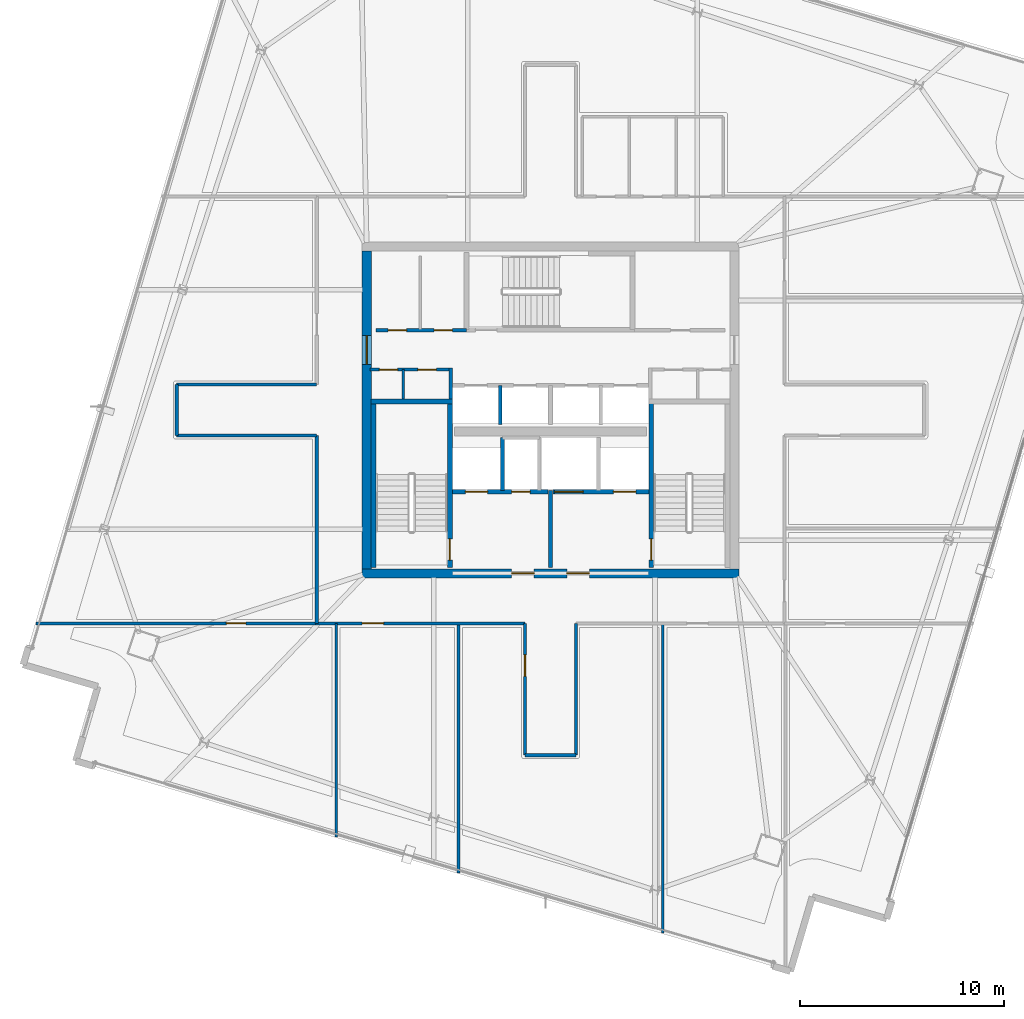
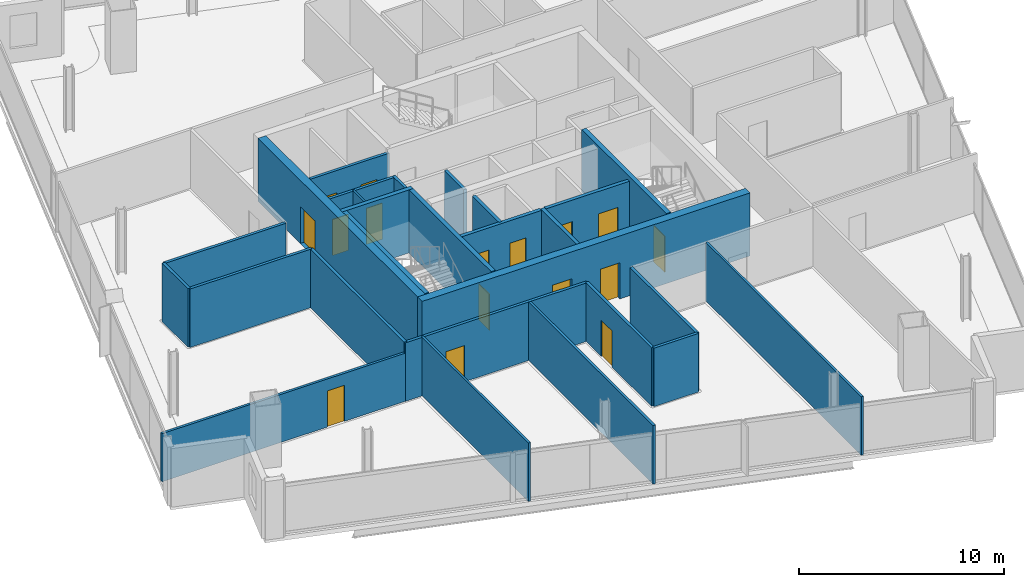
# One storey, part 20 of 26: 27 walls, 16 doors, 16 openings.
"""IFC4 building model written with IfcOpenShell, lengths in metres."""

from ifc_helpers import new_model, si_unit, direction, frame, frame_2d, origin, place, context, subcontext, project, spatial, rectangle, extrude, material, layer, layer_set, type_object, element, fill, save


model = new_model("IFC4")

# Units and contexts
model_context = context("Model", 3, precision=1e-05, world=origin(), true_north=direction((0.0, 1.0)))
body_context = subcontext(model_context, "Body", "Model", "MODEL_VIEW")
ifc_project = project(units=[si_unit("LENGTHUNIT", "METRE"), si_unit("AREAUNIT", "SQUARE_METRE"), si_unit("VOLUMEUNIT", "CUBIC_METRE"), si_unit("PLANEANGLEUNIT", "RADIAN"), si_unit("MASSUNIT", "GRAM", prefix="KILO")], contexts=[model_context])

# Site, building, storey
site_placement = place(None, origin())
site = spatial("IfcSite", under=ifc_project, at=site_placement, CompositionType="ELEMENT")
building_placement = place(site_placement, origin())
building = spatial("IfcBuilding", under=site, at=building_placement, Name="Haldenkirk Collegiate Tower", CompositionType="ELEMENT")
storey_placement = place(building_placement, frame((0.0, 0.0, 274.949951171875)))
storey = spatial("IfcBuildingStorey", under=building, at=storey_placement, Name="L69", CompositionType="ELEMENT", Elevation=274.949951171875)

# Wall, openings, doors
ifc_material_1 = material(Name="Concrete f'c 55 MPa", Category="concrete")
ifc_layer_1 = layer(ifc_material_1, 0.449951171875)
ifc_layer_set_1 = layer_set([ifc_layer_1], Name="Concrete f'c 55 MPa")
wall_type_1 = type_object("IfcWallType", Name="WL-CORE-450", PredefinedType="SHEAR", material=ifc_layer_set_1)
wall_1_placement = place(storey_placement, frame((26.77490234375, 18.0, 0.0), z_axis=(0.0, 0.0, 1.0), x_axis=(1.0, 0.0, 0.0)))
wall_1 = element("IfcWall", 1, at=wall_1_placement, inside=storey, type_object=wall_type_1, Name="L69 central core shear wall S", PredefinedType="SHEAR", context=body_context, shape_type="SweptSolid", body=[
    extrude(rectangle(XDim=18.4501953125, YDim=0.449951171875, at=frame_2d((9.22509765625, 0.0))), origin(), (0.0, 0.0, 1.0), 3.75),
])
opening_1_placement = place(wall_1_placement, frame((7.324951171875, 0.0, 0.0)))
opening_1 = element("IfcOpeningElement", 2, at=opening_1_placement, cuts=wall_1, Name="Opening D-02", PredefinedType="OPENING", context=body_context, shape_type="SweptSolid", body=[
    extrude(rectangle(XDim=1.10009765625, YDim=2.14990234375, at=frame_2d((0.550048828125, 1.074951171875))), frame((0.0, 0.23486328125, 0.0), z_axis=(0.0, -1.0, 0.0), x_axis=(1.0, 0.0, 0.0)), (0.0, 0.0, 1.0), 0.469970703125),
])
opening_2_placement = place(wall_1_placement, frame((10.02490234375, 0.0, 0.0)))
opening_2 = element("IfcOpeningElement", 3, at=opening_2_placement, cuts=wall_1, Name="Opening D-02", PredefinedType="OPENING", context=body_context, shape_type="SweptSolid", body=[
    extrude(rectangle(XDim=1.10009765625, YDim=2.14990234375, at=frame_2d((0.550048828125, 1.074951171875))), frame((0.0, 0.23486328125, 0.0), z_axis=(0.0, -1.0, 0.0), x_axis=(1.0, 0.0, 0.0)), (0.0, 0.0, 1.0), 0.469970703125),
])
ifc_material_2 = material(Name="Galvanized fire-rated hollow steel door", Category="steel")
ifc_layer_2 = layer(ifc_material_2, 0.06005859375)
ifc_layer_set_2 = layer_set([ifc_layer_2], Name="Galvanized fire-rated hollow steel door")
door_type_1 = type_object("IfcDoorType", Name="DR-STAIR-FD90-1100", OperationType="NOTDEFINED", PredefinedType="DOOR", material=ifc_layer_set_2)
door_1_placement = place(opening_1_placement, origin())
door_1 = element("IfcDoor", 4, at=door_1_placement, inside=storey, type_object=door_type_1, Name="L69 Firefighting Lobby 1 door", OperationType="SINGLE_SWING_LEFT", OverallHeight=2.14990234375, OverallWidth=1.10009765625, PredefinedType="DOOR", context=body_context, shape_type="SweptSolid", body=[
    extrude(rectangle(XDim=1.10009765625, YDim=2.14990234375, at=frame_2d((0.550048828125, 1.074951171875))), frame((0.0, 0.02490234375, 0.0), z_axis=(0.0, -1.0, 0.0), x_axis=(1.0, 0.0, 0.0)), (0.0, 0.0, 1.0), 0.050048828125),
])
fill(opening_1, door_1)
door_2_placement = place(opening_2_placement, origin())
door_2 = element("IfcDoor", 5, at=door_2_placement, inside=storey, type_object=door_type_1, Name="L69 Firefighting Lobby 2 door", OperationType="SINGLE_SWING_RIGHT", OverallHeight=2.14990234375, OverallWidth=1.10009765625, PredefinedType="DOOR", context=body_context, shape_type="SweptSolid", body=[
    extrude(rectangle(XDim=1.10009765625, YDim=2.14990234375, at=frame_2d((0.550048828125, 1.074951171875))), frame((0.0, 0.02490234375, 0.0), z_axis=(0.0, -1.0, 0.0), x_axis=(1.0, 0.0, 0.0)), (0.0, 0.0, 1.0), 0.050048828125),
])
fill(opening_2, door_2)

# Wall, opening, door
wall_2_placement = place(storey_placement, frame((27.0, 18.22509765625, 0.0), z_axis=(0.0, 0.0, 1.0), x_axis=(0.0, 1.0, 0.0)))
wall_2 = element("IfcWall", 6, at=wall_2_placement, inside=storey, type_object=wall_type_1, Name="L69 central core shear wall W", PredefinedType="SHEAR", context=body_context, shape_type="SweptSolid", body=[
    extrude(rectangle(XDim=15.5498046875, YDim=0.449951171875, at=frame_2d((7.77490234375, 0.0))), origin(), (0.0, 0.0, 1.0), 3.75),
])
opening_3_placement = place(wall_2_placement, frame((10.014892578125, 0.0, 0.0)))
opening_3 = element("IfcOpeningElement", 7, at=opening_3_placement, cuts=wall_2, Name="Opening D-03", PredefinedType="OPENING", context=body_context, shape_type="SweptSolid", body=[
    extrude(rectangle(XDim=1.39990234375, YDim=2.199951171875, at=frame_2d((0.699951171875, 1.10009765625))), frame((0.0, 0.23486328125, 0.0), z_axis=(0.0, -1.0, 0.0), x_axis=(1.0, 0.0, 0.0)), (0.0, 0.0, 1.0), 0.469970703125),
])
ifc_layer_3 = layer(ifc_material_2, 0.06005859375)
ifc_layer_set_3 = layer_set([ifc_layer_3], Name="Galvanized fire-rated hollow steel door")
door_type_2 = type_object("IfcDoorType", Name="DR-LOBBY-FD90-1400", OperationType="NOTDEFINED", PredefinedType="DOOR", material=ifc_layer_set_3)
door_3_placement = place(opening_3_placement, origin())
door_3 = element("IfcDoor", 8, at=door_3_placement, inside=storey, type_object=door_type_2, Name="L69 west lift lobby portal", OperationType="DOUBLE_DOOR_SINGLE_SWING", OverallHeight=2.199951171875, OverallWidth=1.39990234375, PredefinedType="DOOR", context=body_context, shape_type="SweptSolid", body=[
    extrude(rectangle(XDim=1.39990234375, YDim=2.199951171875, at=frame_2d((0.699951171875, 1.10009765625))), frame((0.0, 0.02490234375, 0.0), z_axis=(0.0, -1.0, 0.0), x_axis=(1.0, 0.0, 0.0)), (0.0, 0.0, 1.0), 0.050048828125),
])
fill(opening_3, door_3)

# Wall, openings, doors
ifc_material_3 = material(Name="Acoustic fire-rated gypsum partition", Category="concrete")
ifc_layer_4 = layer(ifc_material_3, 0.159912109375)
ifc_layer_set_4 = layer_set([ifc_layer_4], Name="Acoustic fire-rated gypsum partition")
wall_type_2 = type_object("IfcWallType", Name="WL-INT-CORR-160", PredefinedType="PARTITIONING", material=ifc_layer_set_4)
wall_3_placement = place(storey_placement, frame((27.14990234375, 27.97998046875, 0.0), z_axis=(0.0, 0.0, 1.0), x_axis=(1.0, 0.0, 0.0)))
wall_3 = element("IfcWall", 9, at=wall_3_placement, inside=storey, type_object=wall_type_2, Name="L69 interior partition IW-L69-VCSW-N", PredefinedType="PARTITIONING", context=body_context, shape_type="SweptSolid", body=[
    extrude(rectangle(XDim=4.050048828125, YDim=0.159912109375, at=frame_2d((2.02490234375, 0.0))), origin(), (0.0, 0.0, 1.0), 3.47998046875),
])
opening_4_placement = place(wall_3_placement, frame((0.469970703125, 0.0, 0.0)))
opening_4 = element("IfcOpeningElement", 10, at=opening_4_placement, cuts=wall_3, Name="Opening D-11", PredefinedType="OPENING", context=body_context, shape_type="SweptSolid", body=[
    extrude(rectangle(XDim=0.89990234375, YDim=2.14990234375, at=frame_2d((0.449951171875, 1.074951171875))), frame((0.0, 0.08984375, 0.0), z_axis=(0.0, -1.0, 0.0), x_axis=(1.0, 0.0, 0.0)), (0.0, 0.0, 1.0), 0.179931640625),
])
opening_5_placement = place(wall_3_placement, frame((2.360107421875, 0.0, 0.0)))
opening_5 = element("IfcOpeningElement", 11, at=opening_5_placement, cuts=wall_3, Name="Opening D-11", PredefinedType="OPENING", context=body_context, shape_type="SweptSolid", body=[
    extrude(rectangle(XDim=0.89990234375, YDim=2.14990234375, at=frame_2d((0.449951171875, 1.074951171875))), frame((0.0, 0.08984375, 0.0), z_axis=(0.0, -1.0, 0.0), x_axis=(1.0, 0.0, 0.0)), (0.0, 0.0, 1.0), 0.179931640625),
])
ifc_material_4 = material(Name="Solid-core architectural oak fire door", Category="wood")
ifc_layer_5 = layer(ifc_material_4, 0.06005859375)
ifc_layer_set_5 = layer_set([ifc_layer_5], Name="Solid-core architectural oak fire door")
door_type_3 = type_object("IfcDoorType", Name="DR-INT-FD60-900", OperationType="NOTDEFINED", PredefinedType="DOOR", material=ifc_layer_set_5)
door_4_placement = place(opening_4_placement, origin())
door_4 = element("IfcDoor", 12, at=door_4_placement, inside=storey, type_object=door_type_3, Name="L69 core AV closet door", OperationType="SINGLE_SWING_LEFT", OverallHeight=2.14990234375, OverallWidth=0.89990234375, PredefinedType="DOOR", context=body_context, shape_type="SweptSolid", body=[
    extrude(rectangle(XDim=0.89990234375, YDim=2.14990234375, at=frame_2d((0.449951171875, 1.074951171875))), frame((0.0, 0.02490234375, 0.0), z_axis=(0.0, -1.0, 0.0), x_axis=(1.0, 0.0, 0.0)), (0.0, 0.0, 1.0), 0.050048828125),
])
fill(opening_4, door_4)
door_5_placement = place(opening_5_placement, origin())
door_5 = element("IfcDoor", 13, at=door_5_placement, inside=storey, type_object=door_type_3, Name="L69 core supply closet door", OperationType="SINGLE_SWING_RIGHT", OverallHeight=2.14990234375, OverallWidth=0.89990234375, PredefinedType="DOOR", context=body_context, shape_type="SweptSolid", body=[
    extrude(rectangle(XDim=0.89990234375, YDim=2.14990234375, at=frame_2d((0.449951171875, 1.074951171875))), frame((0.0, 0.02490234375, 0.0), z_axis=(0.0, -1.0, 0.0), x_axis=(1.0, 0.0, 0.0)), (0.0, 0.0, 1.0), 0.050048828125),
])
fill(opening_5, door_5)

# Wall
wall_4_placement = place(storey_placement, frame((31.1201171875, 26.5400390625, 0.0), z_axis=(0.0, 0.0, 1.0), x_axis=(0.0, 1.0, 0.0)))
element("IfcWall", 14, at=wall_4_placement, inside=storey, type_object=wall_type_2, Name="L69 interior partition IW-L69-VCSW-E", PredefinedType="PARTITIONING", context=body_context, shape_type="SweptSolid", body=[
    extrude(rectangle(XDim=1.510009765625, YDim=0.159912109375, at=frame_2d((0.7548828125, 0.0))), origin(), (0.0, 0.0, 1.0), 3.47998046875),
])

# Wall, openings, doors
wall_5_placement = place(storey_placement, frame((27.449951171875, 29.89990234375, 0.0), z_axis=(0.0, 0.0, 1.0), x_axis=(1.0, 0.0, 0.0)))
wall_5 = element("IfcWall", 15, at=wall_5_placement, inside=storey, type_object=wall_type_2, Name="L69 interior partition IW-L69-PLS", PredefinedType="PARTITIONING", context=body_context, shape_type="SweptSolid", body=[
    extrude(rectangle(XDim=4.429931640625, YDim=0.159912109375, at=frame_2d((2.21484375, 0.0))), origin(), (0.0, 0.0, 1.0), 3.47998046875),
])
opening_6_placement = place(wall_5_placement, frame((0.60009765625, 0.0, 0.0)))
opening_6 = element("IfcOpeningElement", 16, at=opening_6_placement, cuts=wall_5, Name="Opening D-11", PredefinedType="OPENING", context=body_context, shape_type="SweptSolid", body=[
    extrude(rectangle(XDim=0.89990234375, YDim=2.14990234375, at=frame_2d((0.449951171875, 1.074951171875))), frame((0.0, 0.08984375, 0.0), z_axis=(0.0, -1.0, 0.0), x_axis=(1.0, 0.0, 0.0)), (0.0, 0.0, 1.0), 0.179931640625),
])
opening_7_placement = place(wall_5_placement, frame((2.85009765625, 0.0, 0.0)))
opening_7 = element("IfcOpeningElement", 17, at=opening_7_placement, cuts=wall_5, Name="Opening D-11", PredefinedType="OPENING", context=body_context, shape_type="SweptSolid", body=[
    extrude(rectangle(XDim=0.89990234375, YDim=2.14990234375, at=frame_2d((0.449951171875, 1.074951171875))), frame((0.0, 0.08984375, 0.0), z_axis=(0.0, -1.0, 0.0), x_axis=(1.0, 0.0, 0.0)), (0.0, 0.0, 1.0), 0.179931640625),
])
door_6_placement = place(opening_6_placement, origin())
door_6 = element("IfcDoor", 18, at=door_6_placement, inside=storey, type_object=door_type_3, Name="L69 tea kitchen door", OperationType="SINGLE_SWING_LEFT", OverallHeight=2.14990234375, OverallWidth=0.89990234375, PredefinedType="DOOR", context=body_context, shape_type="SweptSolid", body=[
    extrude(rectangle(XDim=0.89990234375, YDim=2.14990234375, at=frame_2d((0.449951171875, 1.074951171875))), frame((0.0, 0.02490234375, 0.0), z_axis=(0.0, -1.0, 0.0), x_axis=(1.0, 0.0, 0.0)), (0.0, 0.0, 1.0), 0.050048828125),
])
fill(opening_6, door_6)
door_7_placement = place(opening_7_placement, origin())
door_7 = element("IfcDoor", 19, at=door_7_placement, inside=storey, type_object=door_type_3, Name="L69 IT room door", OperationType="SINGLE_SWING_RIGHT", OverallHeight=2.14990234375, OverallWidth=0.89990234375, PredefinedType="DOOR", context=body_context, shape_type="SweptSolid", body=[
    extrude(rectangle(XDim=0.89990234375, YDim=2.14990234375, at=frame_2d((0.449951171875, 1.074951171875))), frame((0.0, 0.02490234375, 0.0), z_axis=(0.0, -1.0, 0.0), x_axis=(1.0, 0.0, 0.0)), (0.0, 0.0, 1.0), 0.050048828125),
])
fill(opening_7, door_7)

# Wall, opening, door
wall_6_placement = place(storey_placement, frame((24.5, 15.550048828125, 0.0), z_axis=(0.0, 0.0, 1.0), x_axis=(1.0, 0.0, 0.0)))
wall_6 = element("IfcWall", 20, at=wall_6_placement, inside=storey, type_object=wall_type_2, Name="L69 interior partition IW-L69-CS1", PredefinedType="PARTITIONING", context=body_context, shape_type="SweptSolid", body=[
    extrude(rectangle(XDim=10.25, YDim=0.159912109375, at=frame_2d((5.125, 0.0))), origin(), (0.0, 0.0, 1.0), 3.47998046875),
])
opening_8_placement = place(wall_6_placement, frame((2.27490234375, 0.0, 0.0)))
opening_8 = element("IfcOpeningElement", 21, at=opening_8_placement, cuts=wall_6, Name="Opening D-09", PredefinedType="OPENING", context=body_context, shape_type="SweptSolid", body=[
    extrude(rectangle(XDim=1.050048828125, YDim=2.14990234375, at=frame_2d((0.52490234375, 1.074951171875))), frame((0.0, 0.08984375, 0.0), z_axis=(0.0, -1.0, 0.0), x_axis=(1.0, 0.0, 0.0)), (0.0, 0.0, 1.0), 0.179931640625),
])
ifc_layer_6 = layer(ifc_material_4, 0.06005859375)
ifc_layer_set_6 = layer_set([ifc_layer_6], Name="Solid-core architectural oak fire door")
door_type_4 = type_object("IfcDoorType", Name="DR-INT-FD60-1050", OperationType="NOTDEFINED", PredefinedType="DOOR", material=ifc_layer_set_6)
door_8_placement = place(opening_8_placement, origin())
door_8 = element("IfcDoor", 22, at=door_8_placement, inside=storey, type_object=door_type_4, Name="L69 Student Reading Lounge 2 door", OperationType="SINGLE_SWING_RIGHT", OverallHeight=2.14990234375, OverallWidth=1.050048828125, PredefinedType="DOOR", context=body_context, shape_type="SweptSolid", body=[
    extrude(rectangle(XDim=1.050048828125, YDim=2.14990234375, at=frame_2d((0.52490234375, 1.074951171875))), frame((0.0, 0.02490234375, 0.0), z_axis=(0.0, -1.0, 0.0), x_axis=(1.0, 0.0, 0.0)), (0.0, 0.0, 1.0), 0.050048828125),
])
fill(opening_8, door_8)

# Wall
wall_7_placement = place(storey_placement, frame((24.550048828125, 15.550048828125, 0.0), z_axis=(0.0, 0.0, 1.0), x_axis=(0.0, 1.0, 0.0)))
element("IfcWall", 23, at=wall_7_placement, inside=storey, type_object=wall_type_2, Name="L69 interior partition IW-L69-CW1", PredefinedType="PARTITIONING", context=body_context, shape_type="SweptSolid", body=[
    extrude(rectangle(XDim=9.199951171875, YDim=0.159912109375, at=frame_2d((4.60009765625, 0.0))), origin(), (0.0, 0.0, 1.0), 3.47998046875),
])

# Wall, opening, door
wall_8_placement = place(storey_placement, frame((34.75, 9.10009765625, 0.0), z_axis=(0.0, 0.0, 1.0), x_axis=(0.0, 1.0, 0.0)))
wall_8 = element("IfcWall", 24, at=wall_8_placement, inside=storey, type_object=wall_type_2, Name="L69 interior partition IW-L69-SPW", PredefinedType="PARTITIONING", context=body_context, shape_type="SweptSolid", body=[
    extrude(rectangle(XDim=6.449951171875, YDim=0.159912109375, at=frame_2d((3.22509765625, 0.0))), origin(), (0.0, 0.0, 1.0), 3.47998046875),
])
opening_9_placement = place(wall_8_placement, frame((3.861083984375, 0.0, 0.0)))
opening_9 = element("IfcOpeningElement", 25, at=opening_9_placement, cuts=wall_8, Name="Opening D-09", PredefinedType="OPENING", context=body_context, shape_type="SweptSolid", body=[
    extrude(rectangle(XDim=1.050048828125, YDim=2.14990234375, at=frame_2d((0.52490234375, 1.074951171875))), frame((0.0, 0.08984375, 0.0), z_axis=(0.0, -1.0, 0.0), x_axis=(1.0, 0.0, 0.0)), (0.0, 0.0, 1.0), 0.179931640625),
])
door_9_placement = place(opening_9_placement, origin())
door_9 = element("IfcDoor", 26, at=door_9_placement, inside=storey, type_object=door_type_4, Name="L69 Graduate Study Lounge 3 door", OperationType="SINGLE_SWING_LEFT", OverallHeight=2.14990234375, OverallWidth=1.050048828125, PredefinedType="DOOR", context=body_context, shape_type="SweptSolid", body=[
    extrude(rectangle(XDim=1.050048828125, YDim=2.14990234375, at=frame_2d((0.52490234375, 1.074951171875))), frame((0.0, 0.02490234375, 0.0), z_axis=(0.0, -1.0, 0.0), x_axis=(1.0, 0.0, 0.0)), (0.0, 0.0, 1.0), 0.050048828125),
])
fill(opening_9, door_9)

# Walls
wall_9_placement = place(storey_placement, frame((37.25, 9.10009765625, 0.0), z_axis=(0.0, 0.0, 1.0), x_axis=(0.0, 1.0, 0.0)))
element("IfcWall", 27, at=wall_9_placement, inside=storey, type_object=wall_type_2, Name="L69 interior partition IW-L69-SPE", PredefinedType="PARTITIONING", context=body_context, shape_type="SweptSolid", body=[
    extrude(rectangle(XDim=6.449951171875, YDim=0.159912109375, at=frame_2d((3.22509765625, 0.0))), origin(), (0.0, 0.0, 1.0), 3.47998046875),
])
wall_10_placement = place(storey_placement, frame((34.75, 9.10009765625, 0.0), z_axis=(0.0, 0.0, 1.0), x_axis=(1.0, 0.0, 0.0)))
element("IfcWall", 28, at=wall_10_placement, inside=storey, type_object=wall_type_2, Name="L69 interior partition IW-L69-SPS", PredefinedType="PARTITIONING", context=body_context, shape_type="SweptSolid", body=[
    extrude(rectangle(XDim=2.5, YDim=0.159912109375, at=frame_2d((1.25, 0.0))), origin(), (0.0, 0.0, 1.0), 3.47998046875),
])
for number, where, z_axis, x_axis, name in (
    (29, (17.699951171875, 24.75, 0.0), (0.0, 0.0, 1.0), (1.0, 0.0, 0.0), "L69 interior partition IW-L69-WPS"),
    (30, (17.699951171875, 27.25, 0.0), (0.0, 0.0, 1.0), (1.0, 0.0, 0.0), "L69 interior partition IW-L69-WPN"),
):
    element("IfcWall", number, at=place(storey_placement, frame(where, z_axis=z_axis, x_axis=x_axis)), inside=storey, type_object=wall_type_2, Name=name, PredefinedType="PARTITIONING", context=body_context, shape_type="SweptSolid", body=[
        extrude(rectangle(XDim=6.85009765625, YDim=0.159912109375, at=frame_2d((3.425048828125, 0.0))), origin(), (0.0, 0.0, 1.0), 3.47998046875),
    ])
wall_11_placement = place(storey_placement, frame((17.699951171875, 24.75, 0.0), z_axis=(0.0, 0.0, 1.0), x_axis=(0.0, 1.0, 0.0)))
element("IfcWall", 31, at=wall_11_placement, inside=storey, type_object=wall_type_2, Name="L69 interior partition IW-L69-WPW", PredefinedType="PARTITIONING", context=body_context, shape_type="SweptSolid", body=[
    extrude(rectangle(XDim=2.5, YDim=0.159912109375, at=frame_2d((1.25, 0.0))), origin(), (0.0, 0.0, 1.0), 3.47998046875),
])

# Wall, opening, door
ifc_layer_7 = layer(ifc_material_3, 0.139892578125)
ifc_layer_set_7 = layer_set([ifc_layer_7], Name="Acoustic fire-rated gypsum partition")
wall_type_3 = type_object("IfcWallType", Name="WL-INT-DIV-140", PredefinedType="PARTITIONING", material=ifc_layer_set_7)
wall_12_placement = place(storey_placement, frame((10.814697265625, 15.550048828125, 0.0), z_axis=(0.0, 0.0, 1.0), x_axis=(1.0, 0.0, 0.0)))
wall_12 = element("IfcWall", 32, at=wall_12_placement, inside=storey, type_object=wall_type_3, Name="L69 interior partition IW-L69-BWS", PredefinedType="PARTITIONING", context=body_context, shape_type="SweptSolid", body=[
    extrude(rectangle(XDim=13.7353515625, YDim=0.139892578125, at=frame_2d((6.86767578125, 0.0))), origin(), (0.0, 0.0, 1.0), 2.858154296875),
])
opening_10_placement = place(wall_12_placement, frame((9.318115234375, 0.0, 0.0)))
opening_10 = element("IfcOpeningElement", 33, at=opening_10_placement, cuts=wall_12, Name="Opening D-12", PredefinedType="OPENING", context=body_context, shape_type="SweptSolid", body=[
    extrude(rectangle(XDim=0.949951171875, YDim=2.14990234375, at=frame_2d((0.47509765625, 1.074951171875))), frame((0.0, 0.079833984375, 0.0), z_axis=(0.0, -1.0, 0.0), x_axis=(1.0, 0.0, 0.0)), (0.0, 0.0, 1.0), 0.159912109375),
])
ifc_layer_8 = layer(ifc_material_4, 0.06005859375)
ifc_layer_set_8 = layer_set([ifc_layer_8], Name="Solid-core architectural oak fire door")
door_type_5 = type_object("IfcDoorType", Name="DR-INT-STD-950", OperationType="NOTDEFINED", PredefinedType="DOOR", material=ifc_layer_set_8)
door_10_placement = place(opening_10_placement, origin())
door_10 = element("IfcDoor", 34, at=door_10_placement, inside=storey, type_object=door_type_5, Name="L69 Collegiate Commons Lounge 1 door", OperationType="SINGLE_SWING_LEFT", OverallHeight=2.14990234375, OverallWidth=0.949951171875, PredefinedType="DOOR", context=body_context, shape_type="SweptSolid", body=[
    extrude(rectangle(XDim=0.949951171875, YDim=2.14990234375, at=frame_2d((0.47509765625, 1.074951171875))), frame((0.0, 0.02490234375, 0.0), z_axis=(0.0, -1.0, 0.0), x_axis=(1.0, 0.0, 0.0)), (0.0, 0.0, 1.0), 0.050048828125),
])
fill(opening_10, door_10)

# Walls
wall_13_placement = place(storey_placement, frame((31.5, 3.338623046875, 0.0), z_axis=(0.0, 0.0, 1.0), x_axis=(0.0, 1.0, 0.0)))
element("IfcWall", 35, at=wall_13_placement, inside=storey, type_object=wall_type_3, Name="L69 interior partition IW-L69-RS2", PredefinedType="PARTITIONING", context=body_context, shape_type="SweptSolid", body=[
    extrude(rectangle(XDim=12.21142578125, YDim=0.139892578125, at=frame_2d((6.105712890625, 0.0))), origin(), (0.0, 0.0, 1.0), 3.47998046875),
])
ifc_material_5 = material(Name="Fire-rated gypsum shaftboard assembly", Category="concrete")
ifc_layer_9 = layer(ifc_material_5, 0.179931640625)
ifc_layer_set_9 = layer_set([ifc_layer_9], Name="Fire-rated gypsum shaftboard assembly")
wall_type_4 = type_object("IfcWallType", Name="WL-INT-SHAFT-180", PredefinedType="PARTITIONING", material=ifc_layer_set_9)
wall_14_placement = place(storey_placement, frame((33.64990234375, 22.050048828125, 0.0), z_axis=(0.0, 0.0, 1.0), x_axis=(0.0, 1.0, 0.0)))
element("IfcWall", 36, at=wall_14_placement, inside=storey, type_object=wall_type_4, Name="L69 interior partition IW-L69-FL1E", PredefinedType="PARTITIONING", context=body_context, shape_type="SweptSolid", body=[
    extrude(rectangle(XDim=2.599853515625, YDim=0.179931640625, at=frame_2d((1.2998046875, 0.0))), origin(), (0.0, 0.0, 1.0), 3.47998046875),
])
wall_15_placement = place(storey_placement, frame((33.5400390625, 25.300048828125, 0.0), z_axis=(0.0, 0.0, 1.0), x_axis=(0.0, 1.0, 0.0)))
element("IfcWall", 37, at=wall_15_placement, inside=storey, type_object=wall_type_4, Name="L69 interior partition IW-L69-PHV1", PredefinedType="PARTITIONING", context=body_context, shape_type="SweptSolid", body=[
    extrude(rectangle(XDim=1.89990234375, YDim=0.179931640625, at=frame_2d((0.949951171875, 0.0))), origin(), (0.0, 0.0, 1.0), 3.47998046875),
])
ifc_layer_10 = layer(ifc_material_5, 0.199951171875)
ifc_layer_set_10 = layer_set([ifc_layer_10], Name="Fire-rated gypsum shaftboard assembly")
wall_type_5 = type_object("IfcWallType", Name="WL-INT-SHAFT-200", PredefinedType="PARTITIONING", material=ifc_layer_set_10)
wall_16_placement = place(storey_placement, frame((36.0, 18.280029296875, 0.0), z_axis=(0.0, 0.0, 1.0), x_axis=(0.0, 1.0, 0.0)))
element("IfcWall", 38, at=wall_16_placement, inside=storey, type_object=wall_type_5, Name="L69 interior partition IW-L69-FFLM", PredefinedType="PARTITIONING", context=body_context, shape_type="SweptSolid", body=[
    extrude(rectangle(XDim=3.77001953125, YDim=0.199951171875, at=frame_2d((1.885009765625, 0.0))), origin(), (0.0, 0.0, 1.0), 3.47998046875),
])

# Wall, openings, doors
wall_17_placement = place(storey_placement, frame((31.18994140625, 22.0, 0.0), z_axis=(0.0, 0.0, 1.0), x_axis=(1.0, 0.0, 0.0)))
wall_17 = element("IfcWall", 39, at=wall_17_placement, inside=storey, type_object=wall_type_5, Name="L69 interior partition IW-L69-FFL1N", PredefinedType="PARTITIONING", context=body_context, shape_type="SweptSolid", body=[
    extrude(rectangle(XDim=4.68994140625, YDim=0.199951171875, at=frame_2d((2.344970703125, 0.0))), origin(), (0.0, 0.0, 1.0), 3.47998046875),
])
opening_11_placement = place(wall_17_placement, frame((2.909912109375, 0.0, 0.0)))
opening_11 = element("IfcOpeningElement", 40, at=opening_11_placement, cuts=wall_17, Name="Opening D-06", PredefinedType="OPENING", context=body_context, shape_type="SweptSolid", body=[
    extrude(rectangle(XDim=0.89990234375, YDim=2.14990234375, at=frame_2d((0.449951171875, 1.074951171875))), frame((0.0, 0.10986328125, 0.0), z_axis=(0.0, -1.0, 0.0), x_axis=(1.0, 0.0, 0.0)), (0.0, 0.0, 1.0), 0.219970703125),
])
opening_12_placement = place(wall_17_placement, frame((0.635009765625, 0.0, 0.0)))
opening_12 = element("IfcOpeningElement", 41, at=opening_12_placement, cuts=wall_17, Name="Opening LD-12", PredefinedType="OPENING", context=body_context, shape_type="SweptSolid", body=[
    extrude(rectangle(XDim=1.10009765625, YDim=2.14990234375, at=frame_2d((0.550048828125, 1.074951171875))), frame((0.0, 0.10986328125, 0.0), z_axis=(0.0, -1.0, 0.0), x_axis=(1.0, 0.0, 0.0)), (0.0, 0.0, 1.0), 0.219970703125),
])
ifc_layer_11 = layer(ifc_material_2, 0.06005859375)
ifc_layer_set_11 = layer_set([ifc_layer_11], Name="Galvanized fire-rated hollow steel door")
door_type_6 = type_object("IfcDoorType", Name="DR-INT-FD90-900", OperationType="NOTDEFINED", PredefinedType="DOOR", material=ifc_layer_set_11)
door_11_placement = place(opening_11_placement, origin())
door_11 = element("IfcDoor", 42, at=door_11_placement, inside=storey, type_object=door_type_6, Name="L69 electrical riser door", OperationType="SINGLE_SWING_LEFT", OverallHeight=2.14990234375, OverallWidth=0.89990234375, PredefinedType="DOOR", context=body_context, shape_type="SweptSolid", body=[
    extrude(rectangle(XDim=0.89990234375, YDim=2.14990234375, at=frame_2d((0.449951171875, 1.074951171875))), frame((0.0, 0.02490234375, 0.0), z_axis=(0.0, -1.0, 0.0), x_axis=(1.0, 0.0, 0.0)), (0.0, 0.0, 1.0), 0.050048828125),
])
fill(opening_11, door_11)
ifc_material_6 = material(Name="Brushed architectural stainless steel", Category="steel")
ifc_layer_12 = layer(ifc_material_6, 0.06005859375)
ifc_layer_set_12 = layer_set([ifc_layer_12], Name="Brushed architectural stainless steel")
door_type_7 = type_object("IfcDoorType", Name="LD-FIRE-1100", OperationType="NOTDEFINED", PredefinedType="DOOR", material=ifc_layer_set_12)
door_12_placement = place(opening_12_placement, origin())
door_12 = element("IfcDoor", 43, at=door_12_placement, inside=storey, type_object=door_type_7, Name="L69 Elevator FL1 sliding landing door", OperationType="SLIDING_TO_LEFT", OverallHeight=2.14990234375, OverallWidth=1.10009765625, PredefinedType="DOOR", context=body_context, shape_type="SweptSolid", body=[
    extrude(rectangle(XDim=1.10009765625, YDim=2.14990234375, at=frame_2d((0.550048828125, 1.074951171875))), frame((0.0, 0.02490234375, 0.0), z_axis=(0.0, -1.0, 0.0), x_axis=(1.0, 0.0, 0.0)), (0.0, 0.0, 1.0), 0.050048828125),
])
fill(opening_12, door_12)

wall_18_placement = place(storey_placement, frame((36.1201171875, 22.0, 0.0), z_axis=(0.0, 0.0, 1.0), x_axis=(1.0, 0.0, 0.0)))
wall_18 = element("IfcWall", 44, at=wall_18_placement, inside=storey, type_object=wall_type_5, Name="L69 interior partition IW-L69-FFL2N", PredefinedType="PARTITIONING", context=body_context, shape_type="SweptSolid", body=[
    extrude(rectangle(XDim=4.68994140625, YDim=0.199951171875, at=frame_2d((2.344970703125, 0.0))), origin(), (0.0, 0.0, 1.0), 3.47998046875),
])
opening_13_placement = place(wall_18_placement, frame((2.955078125, 0.0, 0.0)))
opening_13 = element("IfcOpeningElement", 45, at=opening_13_placement, cuts=wall_18, Name="Opening LD-12", PredefinedType="OPENING", context=body_context, shape_type="SweptSolid", body=[
    extrude(rectangle(XDim=1.10009765625, YDim=2.14990234375, at=frame_2d((0.550048828125, 1.074951171875))), frame((0.0, 0.10986328125, 0.0), z_axis=(0.0, -1.0, 0.0), x_axis=(1.0, 0.0, 0.0)), (0.0, 0.0, 1.0), 0.219970703125),
])
opening_14_placement = place(wall_18_placement, frame((0.080078125, 0.0, 0.0)))
opening_14 = element("IfcOpeningElement", 46, at=opening_14_placement, cuts=wall_18, Name="Opening LD-13", PredefinedType="OPENING", context=body_context, shape_type="SweptSolid", body=[
    extrude(rectangle(XDim=1.39990234375, YDim=2.199951171875, at=frame_2d((0.699951171875, 1.10009765625))), frame((0.0, 0.10986328125, 0.0), z_axis=(0.0, -1.0, 0.0), x_axis=(1.0, 0.0, 0.0)), (0.0, 0.0, 1.0), 0.219970703125),
])
door_13_placement = place(opening_13_placement, origin())
door_13 = element("IfcDoor", 47, at=door_13_placement, inside=storey, type_object=door_type_7, Name="L69 Elevator FL2 sliding landing door", OperationType="SLIDING_TO_LEFT", OverallHeight=2.14990234375, OverallWidth=1.10009765625, PredefinedType="DOOR", context=body_context, shape_type="SweptSolid", body=[
    extrude(rectangle(XDim=1.10009765625, YDim=2.14990234375, at=frame_2d((0.550048828125, 1.074951171875))), frame((0.0, 0.02490234375, 0.0), z_axis=(0.0, -1.0, 0.0), x_axis=(1.0, 0.0, 0.0)), (0.0, 0.0, 1.0), 0.050048828125),
])
fill(opening_13, door_13)
ifc_layer_13 = layer(ifc_material_6, 0.06005859375)
ifc_layer_set_13 = layer_set([ifc_layer_13], Name="Brushed architectural stainless steel")
door_type_8 = type_object("IfcDoorType", Name="LD-GOODS-1400", OperationType="NOTDEFINED", PredefinedType="DOOR", material=ifc_layer_set_13)
door_14_placement = place(opening_14_placement, origin())
door_14 = element("IfcDoor", 48, at=door_14_placement, inside=storey, type_object=door_type_8, Name="L69 Elevator GL1 sliding landing door", OperationType="SLIDING_TO_LEFT", OverallHeight=2.199951171875, OverallWidth=1.39990234375, PredefinedType="DOOR", context=body_context, shape_type="SweptSolid", body=[
    extrude(rectangle(XDim=1.39990234375, YDim=2.199951171875, at=frame_2d((0.699951171875, 1.10009765625))), frame((0.0, 0.02490234375, 0.0), z_axis=(0.0, -1.0, 0.0), x_axis=(1.0, 0.0, 0.0)), (0.0, 0.0, 1.0), 0.050048828125),
])
fill(opening_14, door_14)

# Walls
ifc_layer_14 = layer(ifc_material_3, 0.1201171875)
ifc_layer_set_14 = layer_set([ifc_layer_14], Name="Acoustic fire-rated gypsum partition")
wall_type_6 = type_object("IfcWallType", Name="WL-INT-WET-120", PredefinedType="PARTITIONING", material=ifc_layer_set_14)
wall_19_placement = place(storey_placement, frame((28.800048828125, 26.5400390625, 0.0), z_axis=(0.0, 0.0, 1.0), x_axis=(0.0, 1.0, 0.0)))
element("IfcWall", 49, at=wall_19_placement, inside=storey, type_object=wall_type_6, Name="L69 interior partition IW-L69-VCSW-M", PredefinedType="PARTITIONING", context=body_context, shape_type="SweptSolid", body=[
    extrude(rectangle(XDim=1.43994140625, YDim=0.1201171875, at=frame_2d((0.719970703125, 0.0))), origin(), (0.0, 0.0, 1.0), 3.47998046875),
])
wall_20_placement = place(storey_placement, frame((25.5, 5.1044921875, 0.0), z_axis=(0.0, 0.0, 1.0), x_axis=(0.0, 1.0, 0.0)))
element("IfcWall", 50, at=wall_20_placement, inside=storey, type_object=wall_type_6, Name="L69 interior partition IW-L69-RS1", PredefinedType="PARTITIONING", context=body_context, shape_type="SweptSolid", body=[
    extrude(rectangle(XDim=10.445556640625, YDim=0.1201171875, at=frame_2d((5.22265625, 0.0))), origin(), (0.0, 0.0, 1.0), 3.47998046875),
])
wall_21_placement = place(storey_placement, frame((41.5, 0.3955078125, 0.0), z_axis=(0.0, 0.0, 1.0), x_axis=(0.0, 1.0, 0.0)))
element("IfcWall", 51, at=wall_21_placement, inside=storey, type_object=wall_type_6, Name="L69 interior partition IW-L69-RS3", PredefinedType="PARTITIONING", context=body_context, shape_type="SweptSolid", body=[
    extrude(rectangle(XDim=15.154541015625, YDim=0.1201171875, at=frame_2d((7.5771484375, 0.0))), origin(), (0.0, 0.0, 1.0), 3.47998046875),
])

# Wall, opening, door
ifc_layer_15 = layer(ifc_material_1, 0.239990234375)
ifc_layer_set_15 = layer_set([ifc_layer_15], Name="Concrete f'c 55 MPa")
wall_type_7 = type_object("IfcWallType", Name="WL-SHAFT-240", PredefinedType="SHEAR", material=ifc_layer_set_15)
wall_22_placement = place(storey_placement, frame((31.070068359375, 18.280029296875, 0.0), z_axis=(0.0, 0.0, 1.0), x_axis=(0.0, 1.0, 0.0)))
wall_22 = element("IfcWall", 52, at=wall_22_placement, inside=storey, type_object=wall_type_7, Name="L69 stair shaft shear wall SW-L69-ST1E", PredefinedType="SHEAR", context=body_context, shape_type="SweptSolid", body=[
    extrude(rectangle(XDim=8.260009765625, YDim=0.239990234375, at=frame_2d((4.1298828125, 0.0))), origin(), (0.0, 0.0, 1.0), 3.75),
])
opening_15_placement = place(wall_22_placement, frame((0.364990234375, 0.0, 0.0)))
opening_15 = element("IfcOpeningElement", 53, at=opening_15_placement, cuts=wall_22, Name="Opening D-01", PredefinedType="OPENING", context=body_context, shape_type="SweptSolid", body=[
    extrude(rectangle(XDim=1.050048828125, YDim=2.14990234375, at=frame_2d((0.52490234375, 1.074951171875))), frame((0.0, 0.1298828125, 0.0), z_axis=(0.0, -1.0, 0.0), x_axis=(1.0, 0.0, 0.0)), (0.0, 0.0, 1.0), 0.260009765625),
])
ifc_layer_16 = layer(ifc_material_2, 0.06005859375)
ifc_layer_set_16 = layer_set([ifc_layer_16], Name="Galvanized fire-rated hollow steel door")
door_type_9 = type_object("IfcDoorType", Name="DR-STAIR-FD90-1050", OperationType="NOTDEFINED", PredefinedType="DOOR", material=ifc_layer_set_16)
door_15_placement = place(opening_15_placement, origin())
door_15 = element("IfcDoor", 54, at=door_15_placement, inside=storey, type_object=door_type_9, Name="L69 Stair 1 door", OperationType="SINGLE_SWING_LEFT", OverallHeight=2.14990234375, OverallWidth=1.050048828125, PredefinedType="DOOR", context=body_context, shape_type="SweptSolid", body=[
    extrude(rectangle(XDim=1.050048828125, YDim=2.14990234375, at=frame_2d((0.52490234375, 1.074951171875))), frame((0.0, 0.02490234375, 0.0), z_axis=(0.0, -1.0, 0.0), x_axis=(1.0, 0.0, 0.0)), (0.0, 0.0, 1.0), 0.050048828125),
])
fill(opening_15, door_15)

# Walls
wall_23_placement = place(storey_placement, frame((27.2099609375, 26.419921875, 0.0), z_axis=(0.0, 0.0, 1.0), x_axis=(1.0, 0.0, 0.0)))
element("IfcWall", 55, at=wall_23_placement, inside=storey, type_object=wall_type_7, Name="L69 stair shaft shear wall SW-L69-ST1N", PredefinedType="SHEAR", context=body_context, shape_type="SweptSolid", body=[
    extrude(rectangle(XDim=3.97998046875, YDim=0.239990234375, at=frame_2d((1.989990234375, 0.0))), origin(), (0.0, 0.0, 1.0), 3.75),
])
wall_24_placement = place(storey_placement, frame((27.330078125, 18.280029296875, 0.0), z_axis=(0.0, 0.0, 1.0), x_axis=(0.0, 1.0, 0.0)))
element("IfcWall", 56, at=wall_24_placement, inside=storey, type_object=wall_type_7, Name="L69 stair shaft shear wall SW-L69-ST1W", PredefinedType="SHEAR", context=body_context, shape_type="SweptSolid", body=[
    extrude(rectangle(XDim=8.260009765625, YDim=0.239990234375, at=frame_2d((4.1298828125, 0.0))), origin(), (0.0, 0.0, 1.0), 3.75),
])

# Wall, opening, door
wall_25_placement = place(storey_placement, frame((40.929931640625, 18.280029296875, 0.0), z_axis=(0.0, 0.0, 1.0), x_axis=(0.0, 1.0, 0.0)))
wall_25 = element("IfcWall", 57, at=wall_25_placement, inside=storey, type_object=wall_type_7, Name="L69 stair shaft shear wall SW-L69-ST2W", PredefinedType="SHEAR", context=body_context, shape_type="SweptSolid", body=[
    extrude(rectangle(XDim=8.260009765625, YDim=0.239990234375, at=frame_2d((4.1298828125, 0.0))), origin(), (0.0, 0.0, 1.0), 3.75),
])
opening_16_placement = place(wall_25_placement, frame((0.364990234375, 0.0, 0.0)))
opening_16 = element("IfcOpeningElement", 58, at=opening_16_placement, cuts=wall_25, Name="Opening D-01", PredefinedType="OPENING", context=body_context, shape_type="SweptSolid", body=[
    extrude(rectangle(XDim=1.050048828125, YDim=2.14990234375, at=frame_2d((0.52490234375, 1.074951171875))), frame((0.0, 0.1298828125, 0.0), z_axis=(0.0, -1.0, 0.0), x_axis=(1.0, 0.0, 0.0)), (0.0, 0.0, 1.0), 0.260009765625),
])
door_16_placement = place(opening_16_placement, origin())
door_16 = element("IfcDoor", 59, at=door_16_placement, inside=storey, type_object=door_type_9, Name="L69 Stair 2 door", OperationType="SINGLE_SWING_RIGHT", OverallHeight=2.14990234375, OverallWidth=1.050048828125, PredefinedType="DOOR", context=body_context, shape_type="SweptSolid", body=[
    extrude(rectangle(XDim=1.050048828125, YDim=2.14990234375, at=frame_2d((0.52490234375, 1.074951171875))), frame((0.0, 0.02490234375, 0.0), z_axis=(0.0, -1.0, 0.0), x_axis=(1.0, 0.0, 0.0)), (0.0, 0.0, 1.0), 0.050048828125),
])
fill(opening_16, door_16)

save(model, "model.ifc")
